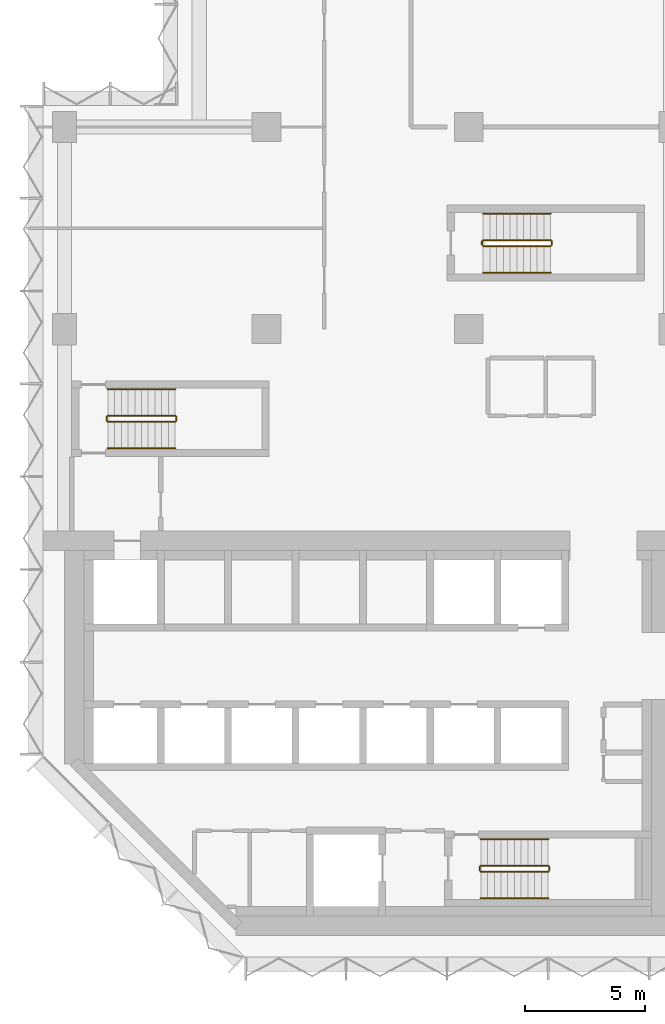
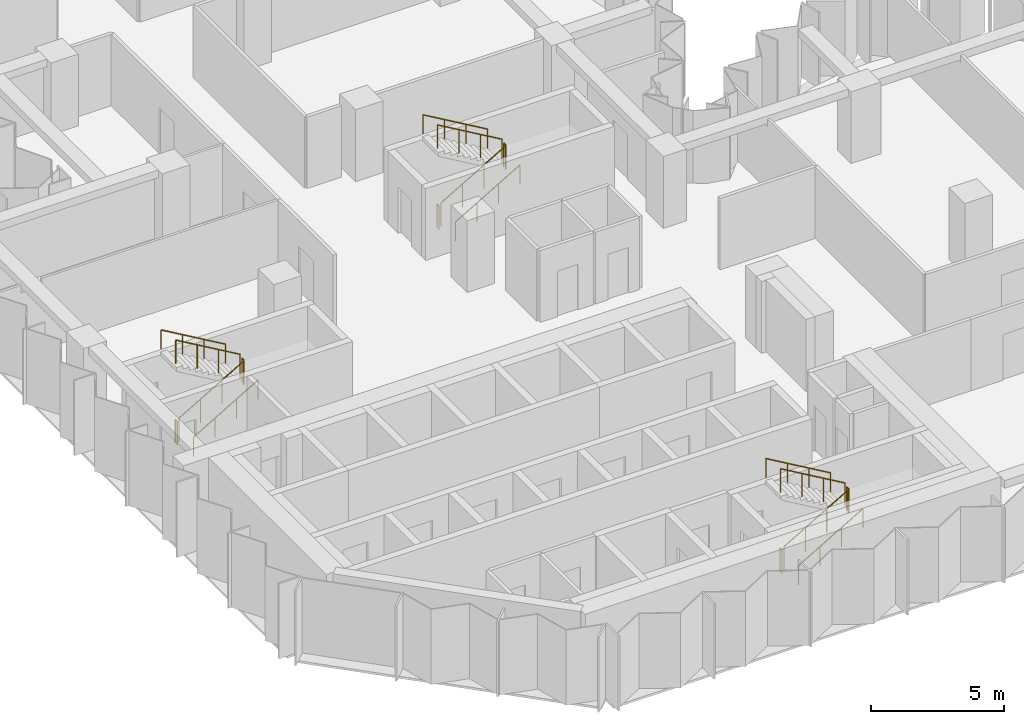
# One storey, part 10 of 11: 18 railings.
"""IFC4 building model written with IfcOpenShell, lengths in metres."""

from ifc_helpers import new_model, si_unit, direction, frame, origin, origin_2d, place, context, subcontext, project, spatial, circle, extrude, material, type_object, element, save


model = new_model("IFC4")

# Units and contexts
model_context = context("Model", 3, precision=1e-05, world=origin(), true_north=direction((0.0, 1.0)))
body_context = subcontext(model_context, "Body", "Model", "MODEL_VIEW")
ifc_project = project(units=[si_unit("LENGTHUNIT", "METRE"), si_unit("AREAUNIT", "SQUARE_METRE"), si_unit("VOLUMEUNIT", "CUBIC_METRE"), si_unit("PLANEANGLEUNIT", "RADIAN"), si_unit("MASSUNIT", "GRAM", prefix="KILO")], contexts=[model_context])

# Site, building, storey
site_placement = place(None, origin())
site = spatial("IfcSite", under=ifc_project, at=site_placement, CompositionType="ELEMENT")
building_placement = place(site_placement, origin())
building = spatial("IfcBuilding", under=site, at=building_placement, Name="Brevane Broadcast Tower", CompositionType="ELEMENT")
storey_placement = place(building_placement, frame((0.0, 0.0, 152.89990234375)))
storey = spatial("IfcBuildingStorey", under=building, at=storey_placement, Name="L38", CompositionType="ELEMENT", Elevation=152.89990234375)

# Railings
ifc_material = material(Name="Steel S355", Category="steel")
railing_type_1 = type_object("IfcRailingType", Name="Exit stair guard", PredefinedType="GUARDRAIL", material=ifc_material)
railing_1_placement = place(storey_placement, frame((1.800048828125, 21.35009765625, 0.163818359375)))
element("IfcRailing", 1, at=railing_1_placement, inside=storey, type_object=railing_type_1, Name="L38 ST-1 stair guard 1", PredefinedType="GUARDRAIL", context=body_context, shape_type="SweptSolid", body=[
    extrude(circle(Radius=0.02392578125, at=origin_2d()), frame((0.0, 0.0, 1.076171875), z_axis=(0.863393664356, 0.0, 0.504530851732), x_axis=(0.0, 1.0, 0.0)), (0.0, 0.0, 1.0), 3.2431640625),
    extrude(circle(Radius=0.02099609375, at=origin_2d()), origin(), (0.0, 0.0, 1.0), 1.052001953125),
    extrude(circle(Radius=0.02099609375, at=origin_2d()), frame((0.933349609375, 0.0, 0.54541015625)), (0.0, 0.0, 1.0), 1.052001953125),
    extrude(circle(Radius=0.02099609375, at=origin_2d()), frame((1.86669921875, 0.0, 1.0908203125)), (0.0, 0.0, 1.0), 1.052001953125),
    extrude(circle(Radius=0.02099609375, at=origin_2d()), frame((2.800048828125, 0.0, 1.63623046875)), (0.0, 0.0, 1.0), 1.052001953125),
])
railing_2_placement = place(storey_placement, frame((4.64990234375, 21.39990234375, 1.800048828125)))
element("IfcRailing", 2, at=railing_2_placement, inside=storey, type_object=railing_type_1, Name="L38 ST-1 stair guard 2", PredefinedType="GUARDRAIL", context=body_context, shape_type="SweptSolid", body=[
    extrude(circle(Radius=0.02392578125, at=origin_2d()), frame((0.0, 0.0, 1.076171875), z_axis=(0.0, 1.0, 0.0), x_axis=(-1.0, 0.0, 0.0)), (0.0, 0.0, 1.0), 0.150146484375),
    extrude(circle(Radius=0.02099609375, at=origin_2d()), origin(), (0.0, 0.0, 1.0), 1.052001953125),
    extrude(circle(Radius=0.02099609375, at=origin_2d()), frame((0.0, 0.150146484375, 0.0)), (0.0, 0.0, 1.0), 1.052001953125),
])
railing_3_placement = place(storey_placement, frame((4.60009765625, 21.60009765625, 1.963623046875)))
element("IfcRailing", 3, at=railing_3_placement, inside=storey, type_object=railing_type_1, Name="L38 ST-1 stair guard 3", PredefinedType="GUARDRAIL", context=body_context, shape_type="SweptSolid", body=[
    extrude(circle(Radius=0.02392578125, at=origin_2d()), frame((0.0, 0.0, 1.076171875), z_axis=(-0.863360870873, 0.0, 0.504586966384), x_axis=(0.0, -1.0, 0.0)), (0.0, 0.0, 1.0), 3.2431640625),
    extrude(circle(Radius=0.02099609375, at=origin_2d()), origin(), (0.0, 0.0, 1.0), 1.052001953125),
    extrude(circle(Radius=0.02099609375, at=origin_2d()), frame((-0.933349609375, 0.0, 0.54541015625)), (0.0, 0.0, 1.0), 1.052001953125),
    extrude(circle(Radius=0.02099609375, at=origin_2d()), frame((-1.86669921875, 0.0, 1.091064453125)), (0.0, 0.0, 1.0), 1.052001953125),
    extrude(circle(Radius=0.02099609375, at=origin_2d()), frame((-2.800048828125, 0.0, 1.636474609375)), (0.0, 0.0, 1.0), 1.052001953125),
])
railing_4_placement = place(storey_placement, frame((1.75, 21.39990234375, 0.0)))
element("IfcRailing", 4, at=railing_4_placement, inside=storey, type_object=railing_type_1, Name="L38 ST-1 stair guard 4", PredefinedType="GUARDRAIL", context=body_context, shape_type="SweptSolid", body=[
    extrude(circle(Radius=0.02392578125, at=origin_2d()), frame((0.0, 0.0, 1.076171875), z_axis=(0.0, 1.0, 0.0), x_axis=(-1.0, 0.0, 0.0)), (0.0, 0.0, 1.0), 0.150146484375),
    extrude(circle(Radius=0.02099609375, at=origin_2d()), origin(), (0.0, 0.0, 1.0), 1.052001953125),
    extrude(circle(Radius=0.02099609375, at=origin_2d()), frame((0.0, 0.150146484375, 0.0)), (0.0, 0.0, 1.0), 1.052001953125),
])
railing_5_placement = place(storey_placement, frame((17.300048828125, 2.64990234375, 0.163818359375)))
element("IfcRailing", 5, at=railing_5_placement, inside=storey, type_object=railing_type_1, Name="L38 ST-2 stair guard 1", PredefinedType="GUARDRAIL", context=body_context, shape_type="SweptSolid", body=[
    extrude(circle(Radius=0.02392578125, at=origin_2d()), frame((0.0, 0.0, 1.076171875), z_axis=(0.863393664356, 0.0, 0.504530851732), x_axis=(0.0, 1.0, 0.0)), (0.0, 0.0, 1.0), 3.2431640625),
    extrude(circle(Radius=0.02099609375, at=origin_2d()), origin(), (0.0, 0.0, 1.0), 1.052001953125),
    extrude(circle(Radius=0.02099609375, at=origin_2d()), frame((0.933349609375, 0.0, 0.54541015625)), (0.0, 0.0, 1.0), 1.052001953125),
    extrude(circle(Radius=0.02099609375, at=origin_2d()), frame((1.86669921875, 0.0, 1.0908203125)), (0.0, 0.0, 1.0), 1.052001953125),
    extrude(circle(Radius=0.02099609375, at=origin_2d()), frame((2.800048828125, 0.0, 1.63623046875)), (0.0, 0.0, 1.0), 1.052001953125),
])
railing_6_placement = place(storey_placement, frame((20.14990234375, 2.699951171875, 1.800048828125)))
element("IfcRailing", 6, at=railing_6_placement, inside=storey, type_object=railing_type_1, Name="L38 ST-2 stair guard 2", PredefinedType="GUARDRAIL", context=body_context, shape_type="SweptSolid", body=[
    extrude(circle(Radius=0.02392578125, at=origin_2d()), frame((0.0, 0.0, 1.076171875), z_axis=(0.0, 1.0, 0.0), x_axis=(-1.0, 0.0, 0.0)), (0.0, 0.0, 1.0), 0.150146484375),
    extrude(circle(Radius=0.02099609375, at=origin_2d()), origin(), (0.0, 0.0, 1.0), 1.052001953125),
    extrude(circle(Radius=0.02099609375, at=origin_2d()), frame((0.0, 0.150146484375, 0.0)), (0.0, 0.0, 1.0), 1.052001953125),
])
railing_7_placement = place(storey_placement, frame((20.10009765625, 2.89990234375, 1.963623046875)))
element("IfcRailing", 7, at=railing_7_placement, inside=storey, type_object=railing_type_1, Name="L38 ST-2 stair guard 3", PredefinedType="GUARDRAIL", context=body_context, shape_type="SweptSolid", body=[
    extrude(circle(Radius=0.02392578125, at=origin_2d()), frame((0.0, 0.0, 1.076171875), z_axis=(-0.863360870873, 0.0, 0.504586966384), x_axis=(0.0, -1.0, 0.0)), (0.0, 0.0, 1.0), 3.2431640625),
    extrude(circle(Radius=0.02099609375, at=origin_2d()), origin(), (0.0, 0.0, 1.0), 1.052001953125),
    extrude(circle(Radius=0.02099609375, at=origin_2d()), frame((-0.933349609375, 0.0, 0.54541015625)), (0.0, 0.0, 1.0), 1.052001953125),
    extrude(circle(Radius=0.02099609375, at=origin_2d()), frame((-1.86669921875, 0.0, 1.091064453125)), (0.0, 0.0, 1.0), 1.052001953125),
    extrude(circle(Radius=0.02099609375, at=origin_2d()), frame((-2.800048828125, 0.0, 1.636474609375)), (0.0, 0.0, 1.0), 1.052001953125),
])
railing_8_placement = place(storey_placement, frame((17.25, 2.699951171875, 0.0)))
element("IfcRailing", 8, at=railing_8_placement, inside=storey, type_object=railing_type_1, Name="L38 ST-2 stair guard 4", PredefinedType="GUARDRAIL", context=body_context, shape_type="SweptSolid", body=[
    extrude(circle(Radius=0.02392578125, at=origin_2d()), frame((0.0, 0.0, 1.076171875), z_axis=(0.0, 1.0, 0.0), x_axis=(-1.0, 0.0, 0.0)), (0.0, 0.0, 1.0), 0.150146484375),
    extrude(circle(Radius=0.02099609375, at=origin_2d()), origin(), (0.0, 0.0, 1.0), 1.052001953125),
    extrude(circle(Radius=0.02099609375, at=origin_2d()), frame((0.0, 0.150146484375, 0.0)), (0.0, 0.0, 1.0), 1.052001953125),
])
railing_9_placement = place(storey_placement, frame((17.39990234375, 28.64990234375, 0.163818359375)))
element("IfcRailing", 9, at=railing_9_placement, inside=storey, type_object=railing_type_1, Name="L38 ST-3 stair guard 1", PredefinedType="GUARDRAIL", context=body_context, shape_type="SweptSolid", body=[
    extrude(circle(Radius=0.02392578125, at=origin_2d()), frame((0.0, 0.0, 1.076171875), z_axis=(0.863393664356, 0.0, 0.504530851732), x_axis=(0.0, 1.0, 0.0)), (0.0, 0.0, 1.0), 3.2431640625),
    extrude(circle(Radius=0.02099609375, at=origin_2d()), origin(), (0.0, 0.0, 1.0), 1.052001953125),
    extrude(circle(Radius=0.02099609375, at=origin_2d()), frame((0.933349609375, 0.0, 0.54541015625)), (0.0, 0.0, 1.0), 1.052001953125),
    extrude(circle(Radius=0.02099609375, at=origin_2d()), frame((1.86669921875, 0.0, 1.0908203125)), (0.0, 0.0, 1.0), 1.052001953125),
    extrude(circle(Radius=0.02099609375, at=origin_2d()), frame((2.800048828125, 0.0, 1.63623046875)), (0.0, 0.0, 1.0), 1.052001953125),
])
railing_10_placement = place(storey_placement, frame((20.25, 28.699951171875, 1.800048828125)))
element("IfcRailing", 10, at=railing_10_placement, inside=storey, type_object=railing_type_1, Name="L38 ST-3 stair guard 2", PredefinedType="GUARDRAIL", context=body_context, shape_type="SweptSolid", body=[
    extrude(circle(Radius=0.02392578125, at=origin_2d()), frame((0.0, 0.0, 1.076171875), z_axis=(0.0, 1.0, 0.0), x_axis=(-1.0, 0.0, 0.0)), (0.0, 0.0, 1.0), 0.150146484375),
    extrude(circle(Radius=0.02099609375, at=origin_2d()), origin(), (0.0, 0.0, 1.0), 1.052001953125),
    extrude(circle(Radius=0.02099609375, at=origin_2d()), frame((0.0, 0.150146484375, 0.0)), (0.0, 0.0, 1.0), 1.052001953125),
])
railing_11_placement = place(storey_placement, frame((20.199951171875, 28.89990234375, 1.963623046875)))
element("IfcRailing", 11, at=railing_11_placement, inside=storey, type_object=railing_type_1, Name="L38 ST-3 stair guard 3", PredefinedType="GUARDRAIL", context=body_context, shape_type="SweptSolid", body=[
    extrude(circle(Radius=0.02392578125, at=origin_2d()), frame((0.0, 0.0, 1.076171875), z_axis=(-0.863360870873, 0.0, 0.504586966384), x_axis=(0.0, -1.0, 0.0)), (0.0, 0.0, 1.0), 3.2431640625),
    extrude(circle(Radius=0.02099609375, at=origin_2d()), origin(), (0.0, 0.0, 1.0), 1.052001953125),
    extrude(circle(Radius=0.02099609375, at=origin_2d()), frame((-0.933349609375, 0.0, 0.54541015625)), (0.0, 0.0, 1.0), 1.052001953125),
    extrude(circle(Radius=0.02099609375, at=origin_2d()), frame((-1.86669921875, 0.0, 1.091064453125)), (0.0, 0.0, 1.0), 1.052001953125),
    extrude(circle(Radius=0.02099609375, at=origin_2d()), frame((-2.800048828125, 0.0, 1.636474609375)), (0.0, 0.0, 1.0), 1.052001953125),
])
railing_12_placement = place(storey_placement, frame((17.35009765625, 28.699951171875, 0.0)))
element("IfcRailing", 12, at=railing_12_placement, inside=storey, type_object=railing_type_1, Name="L38 ST-3 stair guard 4", PredefinedType="GUARDRAIL", context=body_context, shape_type="SweptSolid", body=[
    extrude(circle(Radius=0.02392578125, at=origin_2d()), frame((0.0, 0.0, 1.076171875), z_axis=(0.0, 1.0, 0.0), x_axis=(-1.0, 0.0, 0.0)), (0.0, 0.0, 1.0), 0.150146484375),
    extrude(circle(Radius=0.02099609375, at=origin_2d()), origin(), (0.0, 0.0, 1.0), 1.052001953125),
    extrude(circle(Radius=0.02099609375, at=origin_2d()), frame((0.0, 0.150146484375, 0.0)), (0.0, 0.0, 1.0), 1.052001953125),
])
railing_type_2 = type_object("IfcRailingType", Name="Exit stair handrail", PredefinedType="HANDRAIL", material=ifc_material)
railing_13_placement = place(storey_placement, frame((1.800048828125, 20.25, 0.163818359375)))
element("IfcRailing", 13, at=railing_13_placement, inside=storey, type_object=railing_type_2, Name="L38 ST-1 stair handrail 1", PredefinedType="HANDRAIL", context=body_context, shape_type="SweptSolid", body=[
    extrude(circle(Radius=0.02392578125, at=origin_2d()), frame((0.0, 0.0, 0.8759765625), z_axis=(0.863393664356, 0.0, 0.504530851732), x_axis=(0.0, 1.0, 0.0)), (0.0, 0.0, 1.0), 3.2431640625),
    extrude(circle(Radius=0.02099609375, at=origin_2d()), origin(), (0.0, 0.0, 1.0), 0.851806640625),
    extrude(circle(Radius=0.02099609375, at=origin_2d()), frame((0.933349609375, 0.0, 0.54541015625)), (0.0, 0.0, 1.0), 0.851806640625),
    extrude(circle(Radius=0.02099609375, at=origin_2d()), frame((1.86669921875, 0.0, 1.0908203125)), (0.0, 0.0, 1.0), 0.851806640625),
    extrude(circle(Radius=0.02099609375, at=origin_2d()), frame((2.800048828125, 0.0, 1.63623046875)), (0.0, 0.0, 1.0), 0.851806640625),
])
railing_14_placement = place(storey_placement, frame((4.60009765625, 22.699951171875, 1.963623046875)))
element("IfcRailing", 14, at=railing_14_placement, inside=storey, type_object=railing_type_2, Name="L38 ST-1 stair handrail 2", PredefinedType="HANDRAIL", context=body_context, shape_type="SweptSolid", body=[
    extrude(circle(Radius=0.02392578125, at=origin_2d()), frame((0.0, 0.0, 0.8759765625), z_axis=(-0.863360870873, 0.0, 0.504586966384), x_axis=(0.0, -1.0, 0.0)), (0.0, 0.0, 1.0), 3.2431640625),
    extrude(circle(Radius=0.02099609375, at=origin_2d()), origin(), (0.0, 0.0, 1.0), 0.851806640625),
    extrude(circle(Radius=0.02099609375, at=origin_2d()), frame((-0.933349609375, 0.0, 0.54541015625)), (0.0, 0.0, 1.0), 0.851806640625),
    extrude(circle(Radius=0.02099609375, at=origin_2d()), frame((-1.86669921875, 0.0, 1.091064453125)), (0.0, 0.0, 1.0), 0.851806640625),
    extrude(circle(Radius=0.02099609375, at=origin_2d()), frame((-2.800048828125, 0.0, 1.636474609375)), (0.0, 0.0, 1.0), 0.851806640625),
])
railing_15_placement = place(storey_placement, frame((17.300048828125, 1.550048828125, 0.163818359375)))
element("IfcRailing", 15, at=railing_15_placement, inside=storey, type_object=railing_type_2, Name="L38 ST-2 stair handrail 1", PredefinedType="HANDRAIL", context=body_context, shape_type="SweptSolid", body=[
    extrude(circle(Radius=0.02392578125, at=origin_2d()), frame((0.0, 0.0, 0.8759765625), z_axis=(0.863393664356, 0.0, 0.504530851732), x_axis=(0.0, 1.0, 0.0)), (0.0, 0.0, 1.0), 3.2431640625),
    extrude(circle(Radius=0.02099609375, at=origin_2d()), origin(), (0.0, 0.0, 1.0), 0.851806640625),
    extrude(circle(Radius=0.02099609375, at=origin_2d()), frame((0.933349609375, 0.0, 0.54541015625)), (0.0, 0.0, 1.0), 0.851806640625),
    extrude(circle(Radius=0.02099609375, at=origin_2d()), frame((1.86669921875, 0.0, 1.0908203125)), (0.0, 0.0, 1.0), 0.851806640625),
    extrude(circle(Radius=0.02099609375, at=origin_2d()), frame((2.800048828125, 0.0, 1.63623046875)), (0.0, 0.0, 1.0), 0.851806640625),
])
railing_16_placement = place(storey_placement, frame((20.10009765625, 4.0, 1.963623046875)))
element("IfcRailing", 16, at=railing_16_placement, inside=storey, type_object=railing_type_2, Name="L38 ST-2 stair handrail 2", PredefinedType="HANDRAIL", context=body_context, shape_type="SweptSolid", body=[
    extrude(circle(Radius=0.02392578125, at=origin_2d()), frame((0.0, 0.0, 0.8759765625), z_axis=(-0.863360870873, 0.0, 0.504586966384), x_axis=(0.0, -1.0, 0.0)), (0.0, 0.0, 1.0), 3.2431640625),
    extrude(circle(Radius=0.02099609375, at=origin_2d()), origin(), (0.0, 0.0, 1.0), 0.851806640625),
    extrude(circle(Radius=0.02099609375, at=origin_2d()), frame((-0.933349609375, 0.0, 0.54541015625)), (0.0, 0.0, 1.0), 0.851806640625),
    extrude(circle(Radius=0.02099609375, at=origin_2d()), frame((-1.86669921875, 0.0, 1.091064453125)), (0.0, 0.0, 1.0), 0.851806640625),
    extrude(circle(Radius=0.02099609375, at=origin_2d()), frame((-2.800048828125, 0.0, 1.636474609375)), (0.0, 0.0, 1.0), 0.851806640625),
])
railing_17_placement = place(storey_placement, frame((17.39990234375, 27.550048828125, 0.163818359375)))
element("IfcRailing", 17, at=railing_17_placement, inside=storey, type_object=railing_type_2, Name="L38 ST-3 stair handrail 1", PredefinedType="HANDRAIL", context=body_context, shape_type="SweptSolid", body=[
    extrude(circle(Radius=0.02392578125, at=origin_2d()), frame((0.0, 0.0, 0.8759765625), z_axis=(0.863393664356, 0.0, 0.504530851732), x_axis=(0.0, 1.0, 0.0)), (0.0, 0.0, 1.0), 3.2431640625),
    extrude(circle(Radius=0.02099609375, at=origin_2d()), origin(), (0.0, 0.0, 1.0), 0.851806640625),
    extrude(circle(Radius=0.02099609375, at=origin_2d()), frame((0.933349609375, 0.0, 0.54541015625)), (0.0, 0.0, 1.0), 0.851806640625),
    extrude(circle(Radius=0.02099609375, at=origin_2d()), frame((1.86669921875, 0.0, 1.0908203125)), (0.0, 0.0, 1.0), 0.851806640625),
    extrude(circle(Radius=0.02099609375, at=origin_2d()), frame((2.800048828125, 0.0, 1.63623046875)), (0.0, 0.0, 1.0), 0.851806640625),
])
railing_18_placement = place(storey_placement, frame((20.199951171875, 30.0, 1.963623046875)))
element("IfcRailing", 18, at=railing_18_placement, inside=storey, type_object=railing_type_2, Name="L38 ST-3 stair handrail 2", PredefinedType="HANDRAIL", context=body_context, shape_type="SweptSolid", body=[
    extrude(circle(Radius=0.02392578125, at=origin_2d()), frame((0.0, 0.0, 0.8759765625), z_axis=(-0.863360870873, 0.0, 0.504586966384), x_axis=(0.0, -1.0, 0.0)), (0.0, 0.0, 1.0), 3.2431640625),
    extrude(circle(Radius=0.02099609375, at=origin_2d()), origin(), (0.0, 0.0, 1.0), 0.851806640625),
    extrude(circle(Radius=0.02099609375, at=origin_2d()), frame((-0.933349609375, 0.0, 0.54541015625)), (0.0, 0.0, 1.0), 0.851806640625),
    extrude(circle(Radius=0.02099609375, at=origin_2d()), frame((-1.86669921875, 0.0, 1.091064453125)), (0.0, 0.0, 1.0), 0.851806640625),
    extrude(circle(Radius=0.02099609375, at=origin_2d()), frame((-2.800048828125, 0.0, 1.636474609375)), (0.0, 0.0, 1.0), 0.851806640625),
])

save(model, "model.ifc")
